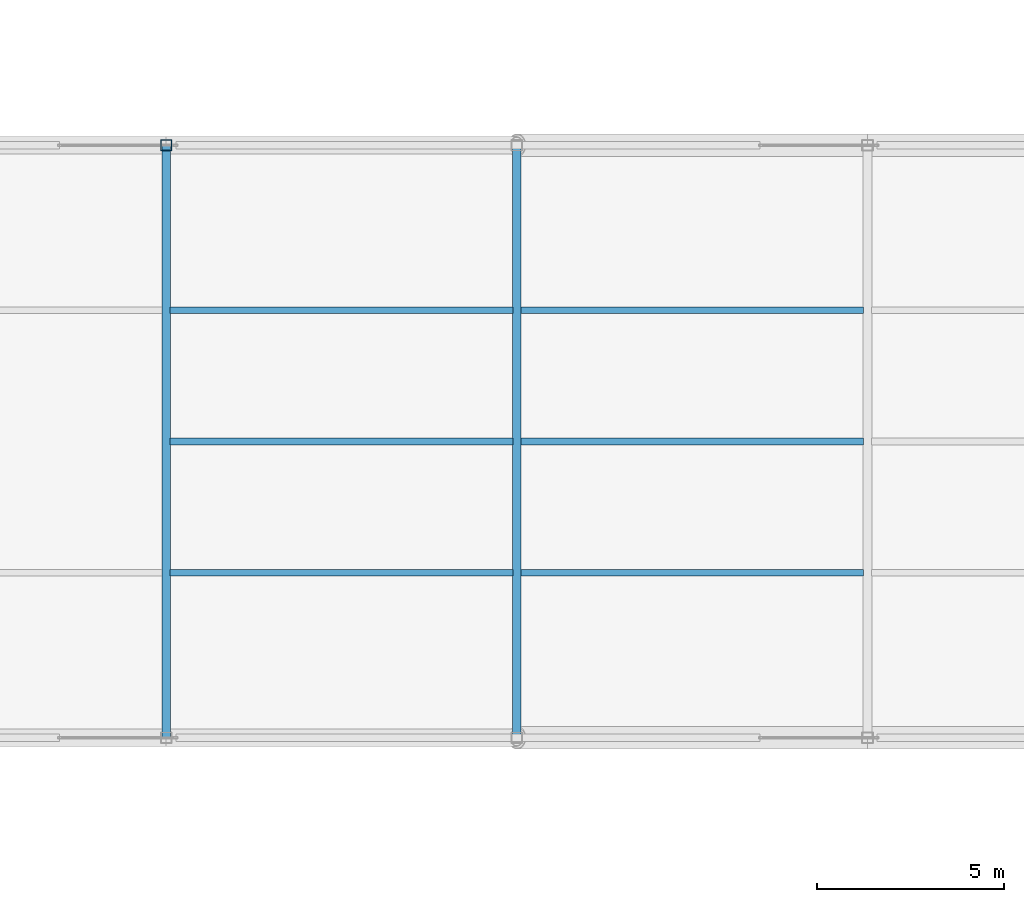
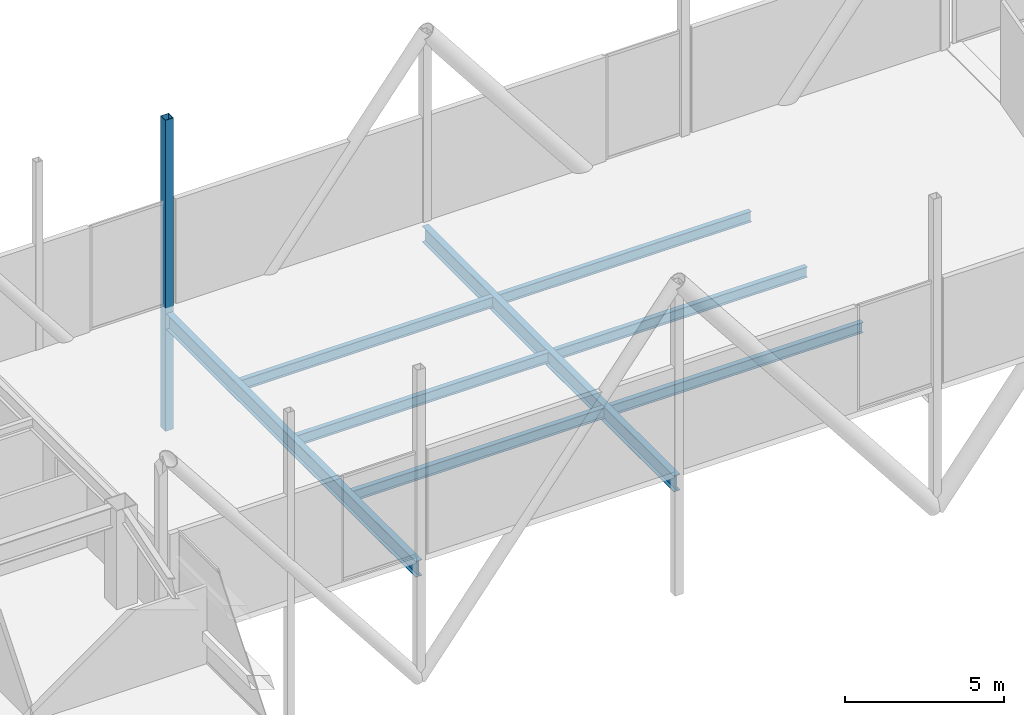
# One storey, part 24 of 53: 8 beams, 1 member.
"""IFC4 building model written with IfcOpenShell, lengths in metres."""

from ifc_helpers import new_model, si_unit, direction, frame, origin, origin_2d, place, context, subcontext, project, spatial, hollow_rectangle, i_section, extrude, material, material_profile, profile_set, type_object, element, save


model = new_model("IFC4")

# Units and contexts
model_context = context("Model", 3, precision=1e-05, world=origin(), true_north=direction((0.0, 1.0)))
body_context = subcontext(model_context, "Body", "Model", "MODEL_VIEW")
ifc_project = project(units=[si_unit("LENGTHUNIT", "METRE"), si_unit("AREAUNIT", "SQUARE_METRE"), si_unit("VOLUMEUNIT", "CUBIC_METRE"), si_unit("PLANEANGLEUNIT", "RADIAN"), si_unit("MASSUNIT", "GRAM", prefix="KILO")], contexts=[model_context])

# Site, building, storey
site_placement = place(None, origin())
site = spatial("IfcSite", under=ifc_project, at=site_placement, CompositionType="ELEMENT")
building_placement = place(site_placement, origin())
building = spatial("IfcBuilding", under=site, at=building_placement, Name="Tashvorn Skyway Center", CompositionType="ELEMENT")
storey_placement = place(building_placement, frame((0.0, 0.0, 255.39990234375)))
storey = spatial("IfcBuildingStorey", under=building, at=storey_placement, Name="L69", CompositionType="ELEMENT", Elevation=255.39990234375)

# Beams
ifc_material_1 = material(Name="Steel ASTM A992 Grade 50", Category="steel")
ifc_material_profile_1 = material_profile(ifc_material_1, i_section(OverallWidth=0.22998046875, OverallDepth=0.616943359375, WebThickness=0.01318359375, FlangeThickness=0.022216796875, at=origin_2d()), Name="W24X94")
ifc_profile_set_1 = profile_set([ifc_material_profile_1], Name="Steel ASTM A992 Grade 50")
beam_type_1 = type_object("IfcBeamType", Name="BM-BEAM-W24X94", PredefinedType="BEAM", material=ifc_profile_set_1)
for number, where, z_axis, x_axis, name in (
    (1, (66.39990234375, 24.10009765625, -0.5283203125), (0.0, 1.0, 0.0), (-1.0, 0.0, 0.0), "Sky-Park L69 Transverse Floor Beam 07"),
    (2, (75.75, 24.10009765625, -0.5283203125), (0.0, 1.0, 0.0), (-1.0, 0.0, 0.0), "Sky-Park L69 Transverse Floor Beam 08"),
):
    element("IfcBeam", number, at=place(storey_placement, frame(where, z_axis=z_axis, x_axis=x_axis)), inside=storey, type_object=beam_type_1, Name=name, PredefinedType="BEAM", context=body_context, shape_type="SweptSolid", body=[
        extrude(i_section(OverallWidth=0.22998046875, OverallDepth=0.616943359375, WebThickness=0.01318359375, FlangeThickness=0.022216796875, at=origin_2d()), origin(), (0.0, 0.0, 1.0), 15.7998046875),
    ])
ifc_material_profile_2 = material_profile(ifc_material_1, i_section(OverallWidth=0.177978515625, OverallDepth=0.406005859375, WebThickness=0.0078125, FlangeThickness=0.0126953125, at=origin_2d()), Name="W16X40")
ifc_profile_set_2 = profile_set([ifc_material_profile_2], Name="Steel ASTM A992 Grade 50")
beam_type_2 = type_object("IfcBeamType", Name="BM-JOIST-W16X40", PredefinedType="JOIST", material=ifc_profile_set_2)
for number, where, z_axis, x_axis, name in (
    (3, (66.507080078125, 28.5, -0.4228515625), (1.0, 0.0, 0.0), (0.0, 1.0, 0.0), "Sky-Park L69 Longitudinal Joist 07-1"),
    (4, (66.507080078125, 32.0, -0.4228515625), (1.0, 0.0, 0.0), (0.0, 1.0, 0.0), "Sky-Park L69 Longitudinal Joist 07-2"),
    (5, (66.507080078125, 35.5, -0.4228515625), (1.0, 0.0, 0.0), (0.0, 1.0, 0.0), "Sky-Park L69 Longitudinal Joist 07-3"),
    (6, (75.85693359375, 28.5, -0.4228515625), (1.0, 0.0, 0.0), (0.0, 1.0, 0.0), "Sky-Park L69 Longitudinal Joist 08-1"),
    (7, (75.85693359375, 32.0, -0.4228515625), (1.0, 0.0, 0.0), (0.0, 1.0, 0.0), "Sky-Park L69 Longitudinal Joist 08-2"),
    (8, (75.85693359375, 35.5, -0.4228515625), (1.0, 0.0, 0.0), (0.0, 1.0, 0.0), "Sky-Park L69 Longitudinal Joist 08-3"),
):
    element("IfcBeam", number, at=place(storey_placement, frame(where, z_axis=z_axis, x_axis=x_axis)), inside=storey, type_object=beam_type_2, Name=name, PredefinedType="JOIST", context=body_context, shape_type="SweptSolid", body=[
        extrude(i_section(OverallWidth=0.177978515625, OverallDepth=0.406005859375, WebThickness=0.0078125, FlangeThickness=0.0126953125, at=origin_2d()), origin(), (0.0, 0.0, 1.0), 9.135986328125),
    ])

# Member
ifc_material_2 = material(Name="Steel ASTM A572 Grade 50", Category="steel")
ifc_material_profile_3 = material_profile(ifc_material_2, hollow_rectangle(XDim=0.300048828125, YDim=0.300048828125, WallThickness=0.012451171875, at=origin_2d()), Name="HSS300x300x12.5")
ifc_profile_set_3 = profile_set([ifc_material_profile_3], Name="Steel ASTM A572 Grade 50")
member_type = type_object("IfcMemberType", Name="MEM-SP-PST-300", PredefinedType="POST", material=ifc_profile_set_3)
member_placement = place(storey_placement, frame((66.39990234375, 39.89990234375, -4.725341796875), z_axis=(0.0, 0.0, 1.0), x_axis=(1.0, 0.0, 0.0)))
element("IfcMember", 9, at=member_placement, inside=storey, type_object=member_type, Name="Sky-Park Truss 2 Vertical Post 07", PredefinedType="POST", context=body_context, shape_type="SweptSolid", body=[
    extrude(hollow_rectangle(XDim=0.300048828125, YDim=0.300048828125, WallThickness=0.012451171875, at=origin_2d()), origin(), (0.0, 0.0, 1.0), 11.919921875),
])

save(model, "model.ifc")
